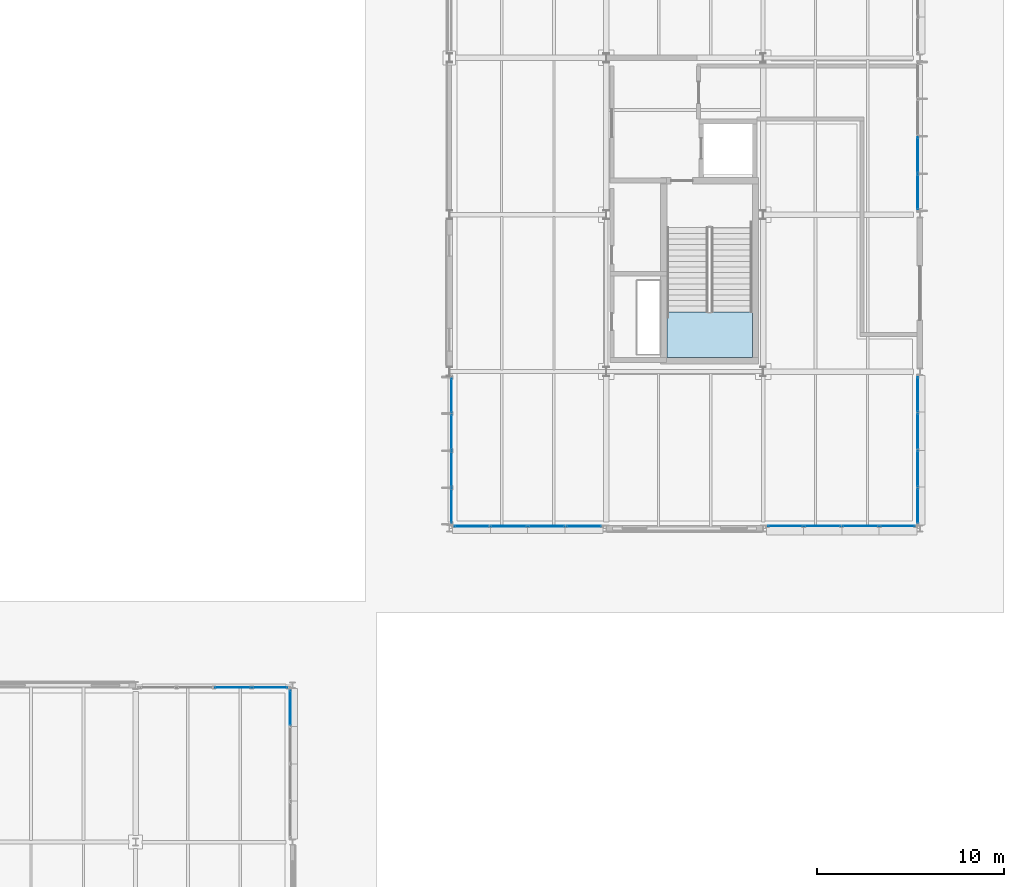
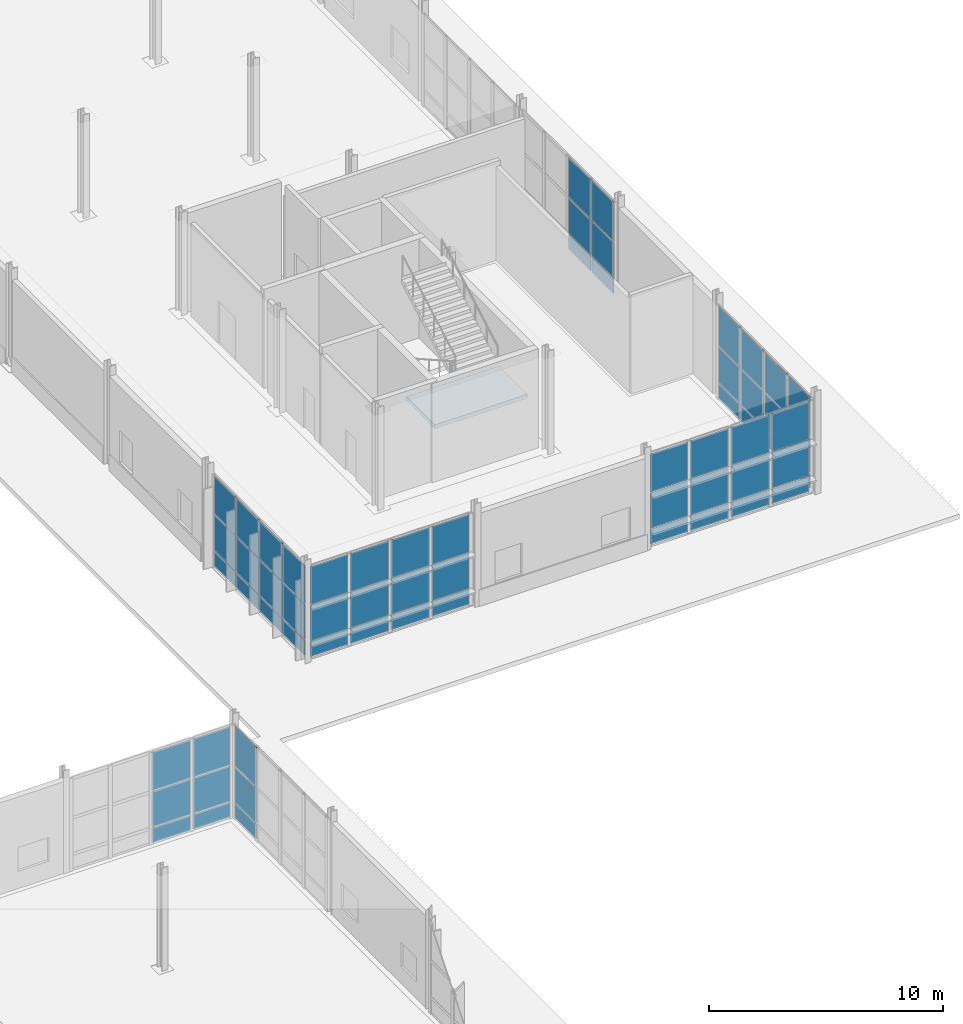
# One storey, part 77 of 124: 63 plates, 1 slab, 8 elements without a shape of their own.
"""IFC4 building model written with IfcOpenShell, lengths in metres."""

from ifc_helpers import new_model, si_unit, direction, frame, origin, origin_2d, place, context, subcontext, project, spatial, polyline, rectangle, outline, extrude, material, layer, layer_set, type_object, element, aggregate, save


model = new_model("IFC4")

# Units and contexts
model_context = context("Model", 3, precision=1e-05, world=origin(), true_north=direction((0.0, 1.0)))
body_context = subcontext(model_context, "Body", "Model", "MODEL_VIEW")
ifc_project = project(units=[si_unit("LENGTHUNIT", "METRE"), si_unit("AREAUNIT", "SQUARE_METRE"), si_unit("VOLUMEUNIT", "CUBIC_METRE"), si_unit("PLANEANGLEUNIT", "RADIAN"), si_unit("MASSUNIT", "GRAM", prefix="KILO")], contexts=[model_context])

# Site, building, storey
site_placement = place(None, origin())
site = spatial("IfcSite", under=ifc_project, at=site_placement, CompositionType="ELEMENT")
building_placement = place(site_placement, origin())
building = spatial("IfcBuilding", under=site, at=building_placement, Name="Mersafa Astral City Hall", CompositionType="ELEMENT")
storey_placement = place(building_placement, origin())
storey = spatial("IfcBuildingStorey", under=building, at=storey_placement, Name="L00", CompositionType="ELEMENT", Elevation=0.0)

# Curtain wall, plates
ifc_material_1 = material(Name="Anodised bronze aluminium framing", Category="aluminium")
curtain_wall_type_1 = type_object("IfcCurtainWallType", Name="ENV-CW-1", PredefinedType="USERDEFINED", material=ifc_material_1)
curtain_wall_1_placement = place(storey_placement, origin())
curtain_wall_1 = element("IfcCurtainWall", 1, at=curtain_wall_1_placement, inside=storey, type_object=curtain_wall_type_1, Name="L00 Unitised solar curtain wall 24", ObjectType="UNITISED CURTAIN WALL", PredefinedType="USERDEFINED")
ifc_material_2 = material(Name="Solar control low-e double glazing", Category="glass")
ifc_layer_1 = layer(ifc_material_2, 0.028076171875, Name="Solar control low-e double glazing")
ifc_layer_set_1 = layer_set([ifc_layer_1], Name="Solar control low-e double glazing — ENV-CW-PNL-GLZ-1")
plate_type_1 = type_object("IfcPlateType", Name="ENV-CW-PNL-GLZ-1", PredefinedType="CURTAIN_PANEL", material=ifc_layer_set_1)
plate_1_placement = place(storey_placement, frame((177.6015625, 42.1201171875, 0.05810546875), z_axis=(0.0, 0.0, 1.0), x_axis=(1.0, 0.0, 0.0)))
plate_1 = element("IfcPlate", 2, at=plate_1_placement, type_object=plate_type_1, Name="CW-1 panel 1.1", PredefinedType="CURTAIN_PANEL", context=body_context, shape_type="SweptSolid", body=[
    extrude(rectangle(XDim=1.839111328125, YDim=0.028076171875, at=origin_2d()), origin(), (0.0, 0.0, 1.0), 0.761962890625),
])
plate_2_placement = place(storey_placement, frame((177.6015625, 42.1201171875, 0.8798828125), z_axis=(0.0, 0.0, 1.0), x_axis=(1.0, 0.0, 0.0)))
plate_2 = element("IfcPlate", 3, at=plate_2_placement, type_object=plate_type_1, Name="CW-1 panel 1.2", PredefinedType="CURTAIN_PANEL", context=body_context, shape_type="SweptSolid", body=[
    extrude(rectangle(XDim=1.839111328125, YDim=0.028076171875, at=origin_2d()), origin(), (0.0, 0.0, 1.0), 1.840087890625),
])
plate_3_placement = place(storey_placement, frame((177.6015625, 42.1201171875, 2.7802734375), z_axis=(0.0, 0.0, 1.0), x_axis=(1.0, 0.0, 0.0)))
plate_3 = element("IfcPlate", 4, at=plate_3_placement, type_object=plate_type_1, Name="CW-1 panel 1.3", PredefinedType="CURTAIN_PANEL", context=body_context, shape_type="SweptSolid", body=[
    extrude(rectangle(XDim=1.839111328125, YDim=0.028076171875, at=origin_2d()), origin(), (0.0, 0.0, 1.0), 1.971923828125),
])
plate_4_placement = place(storey_placement, frame((179.590576171875, 42.1201171875, 0.05810546875), z_axis=(0.0, 0.0, 1.0), x_axis=(1.0, 0.0, 0.0)))
plate_4 = element("IfcPlate", 5, at=plate_4_placement, type_object=plate_type_1, Name="CW-1 panel 2.1", PredefinedType="CURTAIN_PANEL", context=body_context, shape_type="SweptSolid", body=[
    extrude(rectangle(XDim=1.89892578125, YDim=0.028076171875, at=origin_2d()), origin(), (0.0, 0.0, 1.0), 0.761962890625),
])
plate_5_placement = place(storey_placement, frame((179.590576171875, 42.1201171875, 0.8798828125), z_axis=(0.0, 0.0, 1.0), x_axis=(1.0, 0.0, 0.0)))
plate_5 = element("IfcPlate", 6, at=plate_5_placement, type_object=plate_type_1, Name="CW-1 panel 2.2", PredefinedType="CURTAIN_PANEL", context=body_context, shape_type="SweptSolid", body=[
    extrude(rectangle(XDim=1.89892578125, YDim=0.028076171875, at=origin_2d()), origin(), (0.0, 0.0, 1.0), 1.840087890625),
])
plate_6_placement = place(storey_placement, frame((179.590576171875, 42.1201171875, 2.7802734375), z_axis=(0.0, 0.0, 1.0), x_axis=(1.0, 0.0, 0.0)))
plate_6 = element("IfcPlate", 7, at=plate_6_placement, type_object=plate_type_1, Name="CW-1 panel 2.3", PredefinedType="CURTAIN_PANEL", context=body_context, shape_type="SweptSolid", body=[
    extrude(rectangle(XDim=1.89892578125, YDim=0.028076171875, at=origin_2d()), origin(), (0.0, 0.0, 1.0), 1.971923828125),
])
plate_7_placement = place(storey_placement, frame((181.609619140625, 42.1201171875, 0.05810546875), z_axis=(0.0, 0.0, 1.0), x_axis=(1.0, 0.0, 0.0)))
plate_7 = element("IfcPlate", 8, at=plate_7_placement, type_object=plate_type_1, Name="CW-1 panel 3.1", PredefinedType="CURTAIN_PANEL", context=body_context, shape_type="SweptSolid", body=[
    extrude(rectangle(XDim=1.89892578125, YDim=0.028076171875, at=origin_2d()), origin(), (0.0, 0.0, 1.0), 0.761962890625),
])
plate_8_placement = place(storey_placement, frame((181.609619140625, 42.1201171875, 0.8798828125), z_axis=(0.0, 0.0, 1.0), x_axis=(1.0, 0.0, 0.0)))
plate_8 = element("IfcPlate", 9, at=plate_8_placement, type_object=plate_type_1, Name="CW-1 panel 3.2", PredefinedType="CURTAIN_PANEL", context=body_context, shape_type="SweptSolid", body=[
    extrude(rectangle(XDim=1.89892578125, YDim=0.028076171875, at=origin_2d()), origin(), (0.0, 0.0, 1.0), 1.840087890625),
])
plate_9_placement = place(storey_placement, frame((181.609619140625, 42.1201171875, 2.7802734375), z_axis=(0.0, 0.0, 1.0), x_axis=(1.0, 0.0, 0.0)))
plate_9 = element("IfcPlate", 10, at=plate_9_placement, type_object=plate_type_1, Name="CW-1 panel 3.3", PredefinedType="CURTAIN_PANEL", context=body_context, shape_type="SweptSolid", body=[
    extrude(rectangle(XDim=1.89892578125, YDim=0.028076171875, at=origin_2d()), origin(), (0.0, 0.0, 1.0), 1.971923828125),
])
plate_10_placement = place(storey_placement, frame((183.598388671875, 42.1201171875, 0.05810546875), z_axis=(0.0, 0.0, 1.0), x_axis=(1.0, 0.0, 0.0)))
plate_10 = element("IfcPlate", 11, at=plate_10_placement, type_object=plate_type_1, Name="CW-1 panel 4.1", PredefinedType="CURTAIN_PANEL", context=body_context, shape_type="SweptSolid", body=[
    extrude(rectangle(XDim=1.839111328125, YDim=0.028076171875, at=origin_2d()), origin(), (0.0, 0.0, 1.0), 0.761962890625),
])
plate_11_placement = place(storey_placement, frame((183.598388671875, 42.1201171875, 0.8798828125), z_axis=(0.0, 0.0, 1.0), x_axis=(1.0, 0.0, 0.0)))
plate_11 = element("IfcPlate", 12, at=plate_11_placement, type_object=plate_type_1, Name="CW-1 panel 4.2", PredefinedType="CURTAIN_PANEL", context=body_context, shape_type="SweptSolid", body=[
    extrude(rectangle(XDim=1.839111328125, YDim=0.028076171875, at=origin_2d()), origin(), (0.0, 0.0, 1.0), 1.840087890625),
])
plate_12_placement = place(storey_placement, frame((183.598388671875, 42.1201171875, 2.7802734375), z_axis=(0.0, 0.0, 1.0), x_axis=(1.0, 0.0, 0.0)))
plate_12 = element("IfcPlate", 13, at=plate_12_placement, type_object=plate_type_1, Name="CW-1 panel 4.3", PredefinedType="CURTAIN_PANEL", context=body_context, shape_type="SweptSolid", body=[
    extrude(rectangle(XDim=1.839111328125, YDim=0.028076171875, at=origin_2d()), origin(), (0.0, 0.0, 1.0), 1.971923828125),
])
aggregate(curtain_wall_1, [plate_1, plate_2, plate_3, plate_4, plate_5, plate_6, plate_7, plate_8, plate_9, plate_10, plate_11, plate_12])

curtain_wall_type_2 = type_object("IfcCurtainWallType", Name="ENV-CW-6", PredefinedType="USERDEFINED", material=ifc_material_1)
curtain_wall_2_placement = place(storey_placement, origin())
curtain_wall_2 = element("IfcCurtainWall", 14, at=curtain_wall_2_placement, inside=storey, type_object=curtain_wall_type_2, Name="L00 Unitised solar curtain wall 5", ObjectType="UNITISED CURTAIN WALL", PredefinedType="USERDEFINED")
ifc_layer_2 = layer(ifc_material_2, 0.031982421875, Name="Solar control low-e double glazing")
ifc_layer_set_2 = layer_set([ifc_layer_2], Name="Solar control low-e double glazing — ENV-CW-PNL-GLZ-2")
plate_type_2 = type_object("IfcPlateType", Name="ENV-CW-PNL-GLZ-2", PredefinedType="CURTAIN_PANEL", material=ifc_layer_set_2)
plate_13_placement = place(storey_placement, frame((151.080078125, 32.3984375, 0.05810546875), z_axis=(0.0, 0.0, 1.0), x_axis=(0.0, 1.0, 0.0)))
plate_13 = element("IfcPlate", 15, at=plate_13_placement, type_object=plate_type_2, Name="CW-6 panel 4.1", PredefinedType="CURTAIN_PANEL", context=body_context, shape_type="SweptSolid", body=[
    extrude(rectangle(XDim=1.839111328125, YDim=0.031982421875, at=origin_2d()), origin(), (0.0, 0.0, 1.0), 0.761962890625),
])
plate_14_placement = place(storey_placement, frame((151.080078125, 32.3984375, 0.8798828125), z_axis=(0.0, 0.0, 1.0), x_axis=(0.0, 1.0, 0.0)))
plate_14 = element("IfcPlate", 16, at=plate_14_placement, type_object=plate_type_2, Name="CW-6 panel 4.2", PredefinedType="CURTAIN_PANEL", context=body_context, shape_type="SweptSolid", body=[
    extrude(rectangle(XDim=1.839111328125, YDim=0.031982421875, at=origin_2d()), origin(), (0.0, 0.0, 1.0), 1.840087890625),
])
plate_15_placement = place(storey_placement, frame((151.080078125, 32.3984375, 2.780029296875), z_axis=(0.0, 0.0, 1.0), x_axis=(0.0, 1.0, 0.0)))
plate_15 = element("IfcPlate", 17, at=plate_15_placement, type_object=plate_type_2, Name="CW-6 panel 4.3", PredefinedType="CURTAIN_PANEL", context=body_context, shape_type="SweptSolid", body=[
    extrude(rectangle(XDim=1.839111328125, YDim=0.031982421875, at=origin_2d()), origin(), (0.0, 0.0, 1.0), 2.06201171875),
])
aggregate(curtain_wall_2, [plate_13, plate_14, plate_15])

curtain_wall_type_3 = type_object("IfcCurtainWallType", Name="ENV-CW-2", PredefinedType="USERDEFINED", material=ifc_material_1)
curtain_wall_3_placement = place(storey_placement, origin())
curtain_wall_3 = element("IfcCurtainWall", 18, at=curtain_wall_3_placement, inside=storey, type_object=curtain_wall_type_3, Name="L00 Unitised solar curtain wall 25", ObjectType="UNITISED CURTAIN WALL", PredefinedType="USERDEFINED")
plate_16_placement = place(storey_placement, frame((184.679931640625, 43.21533203125, 0.05810546875), z_axis=(0.0, 0.0, 1.0), x_axis=(0.0, 1.0, 0.0)))
plate_16 = element("IfcPlate", 19, at=plate_16_placement, type_object=plate_type_2, Name="CW-2 panel 1.1", PredefinedType="CURTAIN_PANEL", context=body_context, shape_type="SweptSolid", body=[
    extrude(rectangle(XDim=1.826416015625, YDim=0.031982421875, at=origin_2d()), origin(), (0.0, 0.0, 1.0), 0.761962890625),
])
plate_17_placement = place(storey_placement, frame((184.679931640625, 43.21533203125, 0.8798828125), z_axis=(0.0, 0.0, 1.0), x_axis=(0.0, 1.0, 0.0)))
plate_17 = element("IfcPlate", 20, at=plate_17_placement, type_object=plate_type_2, Name="CW-2 panel 1.2", PredefinedType="CURTAIN_PANEL", context=body_context, shape_type="SweptSolid", body=[
    extrude(rectangle(XDim=1.826416015625, YDim=0.031982421875, at=origin_2d()), origin(), (0.0, 0.0, 1.0), 1.840087890625),
])
plate_18_placement = place(storey_placement, frame((184.679931640625, 43.21533203125, 2.780029296875), z_axis=(0.0, 0.0, 1.0), x_axis=(0.0, 1.0, 0.0)))
plate_18 = element("IfcPlate", 21, at=plate_18_placement, type_object=plate_type_2, Name="CW-2 panel 1.3", PredefinedType="CURTAIN_PANEL", context=body_context, shape_type="SweptSolid", body=[
    extrude(rectangle(XDim=1.826416015625, YDim=0.031982421875, at=origin_2d()), origin(), (0.0, 0.0, 1.0), 2.06201171875),
])
plate_19_placement = place(storey_placement, frame((184.679931640625, 45.191650390625, 0.05810546875), z_axis=(0.0, 0.0, 1.0), x_axis=(0.0, 1.0, 0.0)))
plate_19 = element("IfcPlate", 22, at=plate_19_placement, type_object=plate_type_2, Name="CW-2 panel 2.1", PredefinedType="CURTAIN_PANEL", context=body_context, shape_type="SweptSolid", body=[
    extrude(rectangle(XDim=1.886474609375, YDim=0.031982421875, at=origin_2d()), origin(), (0.0, 0.0, 1.0), 0.761962890625),
])
plate_20_placement = place(storey_placement, frame((184.679931640625, 45.191650390625, 0.8798828125), z_axis=(0.0, 0.0, 1.0), x_axis=(0.0, 1.0, 0.0)))
plate_20 = element("IfcPlate", 23, at=plate_20_placement, type_object=plate_type_2, Name="CW-2 panel 2.2", PredefinedType="CURTAIN_PANEL", context=body_context, shape_type="SweptSolid", body=[
    extrude(rectangle(XDim=1.886474609375, YDim=0.031982421875, at=origin_2d()), origin(), (0.0, 0.0, 1.0), 1.840087890625),
])
plate_21_placement = place(storey_placement, frame((184.679931640625, 45.191650390625, 2.780029296875), z_axis=(0.0, 0.0, 1.0), x_axis=(0.0, 1.0, 0.0)))
plate_21 = element("IfcPlate", 24, at=plate_21_placement, type_object=plate_type_2, Name="CW-2 panel 2.3", PredefinedType="CURTAIN_PANEL", context=body_context, shape_type="SweptSolid", body=[
    extrude(rectangle(XDim=1.886474609375, YDim=0.031982421875, at=origin_2d()), origin(), (0.0, 0.0, 1.0), 2.06201171875),
])
plate_22_placement = place(storey_placement, frame((184.679931640625, 47.1982421875, 0.05810546875), z_axis=(0.0, 0.0, 1.0), x_axis=(0.0, 1.0, 0.0)))
plate_22 = element("IfcPlate", 25, at=plate_22_placement, type_object=plate_type_2, Name="CW-2 panel 3.1", PredefinedType="CURTAIN_PANEL", context=body_context, shape_type="SweptSolid", body=[
    extrude(rectangle(XDim=1.886474609375, YDim=0.031982421875, at=origin_2d()), origin(), (0.0, 0.0, 1.0), 0.761962890625),
])
plate_23_placement = place(storey_placement, frame((184.679931640625, 47.1982421875, 0.8798828125), z_axis=(0.0, 0.0, 1.0), x_axis=(0.0, 1.0, 0.0)))
plate_23 = element("IfcPlate", 26, at=plate_23_placement, type_object=plate_type_2, Name="CW-2 panel 3.2", PredefinedType="CURTAIN_PANEL", context=body_context, shape_type="SweptSolid", body=[
    extrude(rectangle(XDim=1.886474609375, YDim=0.031982421875, at=origin_2d()), origin(), (0.0, 0.0, 1.0), 1.840087890625),
])
plate_24_placement = place(storey_placement, frame((184.679931640625, 47.1982421875, 2.780029296875), z_axis=(0.0, 0.0, 1.0), x_axis=(0.0, 1.0, 0.0)))
plate_24 = element("IfcPlate", 27, at=plate_24_placement, type_object=plate_type_2, Name="CW-2 panel 3.3", PredefinedType="CURTAIN_PANEL", context=body_context, shape_type="SweptSolid", body=[
    extrude(rectangle(XDim=1.886474609375, YDim=0.031982421875, at=origin_2d()), origin(), (0.0, 0.0, 1.0), 2.06201171875),
])
plate_25_placement = place(storey_placement, frame((184.679931640625, 49.1748046875, 0.05810546875), z_axis=(0.0, 0.0, 1.0), x_axis=(0.0, 1.0, 0.0)))
plate_25 = element("IfcPlate", 28, at=plate_25_placement, type_object=plate_type_2, Name="CW-2 panel 4.1", PredefinedType="CURTAIN_PANEL", context=body_context, shape_type="SweptSolid", body=[
    extrude(rectangle(XDim=1.826416015625, YDim=0.031982421875, at=origin_2d()), origin(), (0.0, 0.0, 1.0), 0.761962890625),
])
plate_26_placement = place(storey_placement, frame((184.679931640625, 49.1748046875, 0.8798828125), z_axis=(0.0, 0.0, 1.0), x_axis=(0.0, 1.0, 0.0)))
plate_26 = element("IfcPlate", 29, at=plate_26_placement, type_object=plate_type_2, Name="CW-2 panel 4.2", PredefinedType="CURTAIN_PANEL", context=body_context, shape_type="SweptSolid", body=[
    extrude(rectangle(XDim=1.826416015625, YDim=0.031982421875, at=origin_2d()), origin(), (0.0, 0.0, 1.0), 1.840087890625),
])
plate_27_placement = place(storey_placement, frame((184.679931640625, 49.1748046875, 2.780029296875), z_axis=(0.0, 0.0, 1.0), x_axis=(0.0, 1.0, 0.0)))
plate_27 = element("IfcPlate", 30, at=plate_27_placement, type_object=plate_type_2, Name="CW-2 panel 4.3", PredefinedType="CURTAIN_PANEL", context=body_context, shape_type="SweptSolid", body=[
    extrude(rectangle(XDim=1.826416015625, YDim=0.031982421875, at=origin_2d()), origin(), (0.0, 0.0, 1.0), 2.06201171875),
])
aggregate(curtain_wall_3, [plate_16, plate_17, plate_18, plate_19, plate_20, plate_21, plate_22, plate_23, plate_24, plate_25, plate_26, plate_27])

curtain_wall_4_placement = place(storey_placement, origin())
curtain_wall_4 = element("IfcCurtainWall", 31, at=curtain_wall_4_placement, inside=storey, type_object=curtain_wall_type_1, Name="L00 Unitised solar curtain wall 6", ObjectType="UNITISED CURTAIN WALL", PredefinedType="USERDEFINED")
ifc_layer_3 = layer(ifc_material_2, 0.035888671875, Name="Solar control low-e double glazing")
ifc_layer_set_3 = layer_set([ifc_layer_3], Name="Solar control low-e double glazing — ENV-CW-PNL-GLZ-3")
plate_type_3 = type_object("IfcPlateType", Name="ENV-CW-PNL-GLZ-3", PredefinedType="CURTAIN_PANEL", material=ifc_layer_set_3)
plate_28_placement = place(storey_placement, frame((149.99853515625, 33.47998046875, 0.05810546875), z_axis=(0.0, 0.0, 1.0), x_axis=(-1.0, 0.0, 0.0)))
plate_28 = element("IfcPlate", 32, at=plate_28_placement, type_object=plate_type_3, Name="CW-1 panel 1.1", PredefinedType="CURTAIN_PANEL", context=body_context, shape_type="SweptSolid", body=[
    extrude(rectangle(XDim=1.839111328125, YDim=0.035888671875, at=origin_2d()), origin(), (0.0, 0.0, 1.0), 0.761962890625),
])
plate_29_placement = place(storey_placement, frame((149.99853515625, 33.47998046875, 0.8798828125), z_axis=(0.0, 0.0, 1.0), x_axis=(-1.0, 0.0, 0.0)))
plate_29 = element("IfcPlate", 33, at=plate_29_placement, type_object=plate_type_3, Name="CW-1 panel 1.2", PredefinedType="CURTAIN_PANEL", context=body_context, shape_type="SweptSolid", body=[
    extrude(rectangle(XDim=1.839111328125, YDim=0.035888671875, at=origin_2d()), origin(), (0.0, 0.0, 1.0), 1.840087890625),
])
plate_30_placement = place(storey_placement, frame((149.99853515625, 33.47998046875, 2.780029296875), z_axis=(0.0, 0.0, 1.0), x_axis=(-1.0, 0.0, 0.0)))
plate_30 = element("IfcPlate", 34, at=plate_30_placement, type_object=plate_type_3, Name="CW-1 panel 1.3", PredefinedType="CURTAIN_PANEL", context=body_context, shape_type="SweptSolid", body=[
    extrude(rectangle(XDim=1.839111328125, YDim=0.035888671875, at=origin_2d()), origin(), (0.0, 0.0, 1.0), 2.001953125),
])
plate_31_placement = place(storey_placement, frame((148.009521484375, 33.47998046875, 0.05810546875), z_axis=(0.0, 0.0, 1.0), x_axis=(-1.0, 0.0, 0.0)))
plate_31 = element("IfcPlate", 35, at=plate_31_placement, type_object=plate_type_3, Name="CW-1 panel 2.1", PredefinedType="CURTAIN_PANEL", context=body_context, shape_type="SweptSolid", body=[
    extrude(rectangle(XDim=1.89892578125, YDim=0.035888671875, at=origin_2d()), origin(), (0.0, 0.0, 1.0), 0.761962890625),
])
plate_32_placement = place(storey_placement, frame((148.009521484375, 33.47998046875, 0.8798828125), z_axis=(0.0, 0.0, 1.0), x_axis=(-1.0, 0.0, 0.0)))
plate_32 = element("IfcPlate", 36, at=plate_32_placement, type_object=plate_type_3, Name="CW-1 panel 2.2", PredefinedType="CURTAIN_PANEL", context=body_context, shape_type="SweptSolid", body=[
    extrude(rectangle(XDim=1.89892578125, YDim=0.035888671875, at=origin_2d()), origin(), (0.0, 0.0, 1.0), 1.840087890625),
])
plate_33_placement = place(storey_placement, frame((148.009521484375, 33.47998046875, 2.780029296875), z_axis=(0.0, 0.0, 1.0), x_axis=(-1.0, 0.0, 0.0)))
plate_33 = element("IfcPlate", 37, at=plate_33_placement, type_object=plate_type_3, Name="CW-1 panel 2.3", PredefinedType="CURTAIN_PANEL", context=body_context, shape_type="SweptSolid", body=[
    extrude(rectangle(XDim=1.89892578125, YDim=0.035888671875, at=origin_2d()), origin(), (0.0, 0.0, 1.0), 2.001953125),
])
aggregate(curtain_wall_4, [plate_28, plate_29, plate_30, plate_31, plate_32, plate_33])

curtain_wall_type_4 = type_object("IfcCurtainWallType", Name="ENV-CW-5", PredefinedType="USERDEFINED", material=ifc_material_1)
curtain_wall_5_placement = place(storey_placement, origin())
curtain_wall_5 = element("IfcCurtainWall", 38, at=curtain_wall_5_placement, inside=storey, type_object=curtain_wall_type_4, Name="L00 Unitised solar curtain wall 22", ObjectType="UNITISED CURTAIN WALL", PredefinedType="USERDEFINED")
plate_34_placement = place(storey_placement, frame((159.719970703125, 49.11474609375, 0.05810546875), z_axis=(0.0, 0.0, 1.0), x_axis=(0.0, -1.0, 0.0)))
plate_34 = element("IfcPlate", 39, at=plate_34_placement, type_object=plate_type_3, Name="CW-5 panel 1.1", PredefinedType="CURTAIN_PANEL", context=body_context, shape_type="SweptSolid", body=[
    extrude(rectangle(XDim=1.806396484375, YDim=0.035888671875, at=origin_2d()), origin(), (0.0, 0.0, 1.0), 0.761962890625),
])
plate_35_placement = place(storey_placement, frame((159.719970703125, 49.11474609375, 0.8798828125), z_axis=(0.0, 0.0, 1.0), x_axis=(0.0, -1.0, 0.0)))
plate_35 = element("IfcPlate", 40, at=plate_35_placement, type_object=plate_type_3, Name="CW-5 panel 1.2", PredefinedType="CURTAIN_PANEL", context=body_context, shape_type="SweptSolid", body=[
    extrude(rectangle(XDim=1.806396484375, YDim=0.035888671875, at=origin_2d()), origin(), (0.0, 0.0, 1.0), 1.840087890625),
])
plate_36_placement = place(storey_placement, frame((159.719970703125, 49.11474609375, 2.7802734375), z_axis=(0.0, 0.0, 1.0), x_axis=(0.0, -1.0, 0.0)))
plate_36 = element("IfcPlate", 41, at=plate_36_placement, type_object=plate_type_3, Name="CW-5 panel 1.3", PredefinedType="CURTAIN_PANEL", context=body_context, shape_type="SweptSolid", body=[
    extrude(rectangle(XDim=1.806396484375, YDim=0.035888671875, at=origin_2d()), origin(), (0.0, 0.0, 1.0), 1.971923828125),
])
plate_37_placement = place(storey_placement, frame((159.719970703125, 47.158203125, 0.05810546875), z_axis=(0.0, 0.0, 1.0), x_axis=(0.0, -1.0, 0.0)))
plate_37 = element("IfcPlate", 42, at=plate_37_placement, type_object=plate_type_3, Name="CW-5 panel 2.1", PredefinedType="CURTAIN_PANEL", context=body_context, shape_type="SweptSolid", body=[
    extrude(rectangle(XDim=1.866455078125, YDim=0.035888671875, at=origin_2d()), origin(), (0.0, 0.0, 1.0), 0.761962890625),
])
plate_38_placement = place(storey_placement, frame((159.719970703125, 47.158203125, 0.8798828125), z_axis=(0.0, 0.0, 1.0), x_axis=(0.0, -1.0, 0.0)))
plate_38 = element("IfcPlate", 43, at=plate_38_placement, type_object=plate_type_3, Name="CW-5 panel 2.2", PredefinedType="CURTAIN_PANEL", context=body_context, shape_type="SweptSolid", body=[
    extrude(rectangle(XDim=1.866455078125, YDim=0.035888671875, at=origin_2d()), origin(), (0.0, 0.0, 1.0), 1.840087890625),
])
plate_39_placement = place(storey_placement, frame((159.719970703125, 47.158203125, 2.7802734375), z_axis=(0.0, 0.0, 1.0), x_axis=(0.0, -1.0, 0.0)))
plate_39 = element("IfcPlate", 44, at=plate_39_placement, type_object=plate_type_3, Name="CW-5 panel 2.3", PredefinedType="CURTAIN_PANEL", context=body_context, shape_type="SweptSolid", body=[
    extrude(rectangle(XDim=1.866455078125, YDim=0.035888671875, at=origin_2d()), origin(), (0.0, 0.0, 1.0), 1.971923828125),
])
plate_40_placement = place(storey_placement, frame((159.719970703125, 45.171630859375, 0.05810546875), z_axis=(0.0, 0.0, 1.0), x_axis=(0.0, -1.0, 0.0)))
plate_40 = element("IfcPlate", 45, at=plate_40_placement, type_object=plate_type_3, Name="CW-5 panel 3.1", PredefinedType="CURTAIN_PANEL", context=body_context, shape_type="SweptSolid", body=[
    extrude(rectangle(XDim=1.866455078125, YDim=0.035888671875, at=origin_2d()), origin(), (0.0, 0.0, 1.0), 0.761962890625),
])
plate_41_placement = place(storey_placement, frame((159.719970703125, 45.171630859375, 0.8798828125), z_axis=(0.0, 0.0, 1.0), x_axis=(0.0, -1.0, 0.0)))
plate_41 = element("IfcPlate", 46, at=plate_41_placement, type_object=plate_type_3, Name="CW-5 panel 3.2", PredefinedType="CURTAIN_PANEL", context=body_context, shape_type="SweptSolid", body=[
    extrude(rectangle(XDim=1.866455078125, YDim=0.035888671875, at=origin_2d()), origin(), (0.0, 0.0, 1.0), 1.840087890625),
])
plate_42_placement = place(storey_placement, frame((159.719970703125, 45.171630859375, 2.7802734375), z_axis=(0.0, 0.0, 1.0), x_axis=(0.0, -1.0, 0.0)))
plate_42 = element("IfcPlate", 47, at=plate_42_placement, type_object=plate_type_3, Name="CW-5 panel 3.3", PredefinedType="CURTAIN_PANEL", context=body_context, shape_type="SweptSolid", body=[
    extrude(rectangle(XDim=1.866455078125, YDim=0.035888671875, at=origin_2d()), origin(), (0.0, 0.0, 1.0), 1.971923828125),
])
plate_43_placement = place(storey_placement, frame((159.719970703125, 43.21533203125, 0.05810546875), z_axis=(0.0, 0.0, 1.0), x_axis=(0.0, -1.0, 0.0)))
plate_43 = element("IfcPlate", 48, at=plate_43_placement, type_object=plate_type_3, Name="CW-5 panel 4.1", PredefinedType="CURTAIN_PANEL", context=body_context, shape_type="SweptSolid", body=[
    extrude(rectangle(XDim=1.806396484375, YDim=0.035888671875, at=origin_2d()), origin(), (0.0, 0.0, 1.0), 0.761962890625),
])
plate_44_placement = place(storey_placement, frame((159.719970703125, 43.21533203125, 0.8798828125), z_axis=(0.0, 0.0, 1.0), x_axis=(0.0, -1.0, 0.0)))
plate_44 = element("IfcPlate", 49, at=plate_44_placement, type_object=plate_type_3, Name="CW-5 panel 4.2", PredefinedType="CURTAIN_PANEL", context=body_context, shape_type="SweptSolid", body=[
    extrude(rectangle(XDim=1.806396484375, YDim=0.035888671875, at=origin_2d()), origin(), (0.0, 0.0, 1.0), 1.840087890625),
])
plate_45_placement = place(storey_placement, frame((159.719970703125, 43.21533203125, 2.7802734375), z_axis=(0.0, 0.0, 1.0), x_axis=(0.0, -1.0, 0.0)))
plate_45 = element("IfcPlate", 50, at=plate_45_placement, type_object=plate_type_3, Name="CW-5 panel 4.3", PredefinedType="CURTAIN_PANEL", context=body_context, shape_type="SweptSolid", body=[
    extrude(rectangle(XDim=1.806396484375, YDim=0.035888671875, at=origin_2d()), origin(), (0.0, 0.0, 1.0), 1.971923828125),
])
aggregate(curtain_wall_5, [plate_34, plate_35, plate_36, plate_37, plate_38, plate_39, plate_40, plate_41, plate_42, plate_43, plate_44, plate_45])

curtain_wall_type_5 = type_object("IfcCurtainWallType", Name="ENV-CW-3", PredefinedType="USERDEFINED", material=ifc_material_1)
curtain_wall_6_placement = place(storey_placement, origin())
curtain_wall_6 = element("IfcCurtainWall", 51, at=curtain_wall_6_placement, inside=storey, type_object=curtain_wall_type_5, Name="L00 Unitised solar curtain wall 26", ObjectType="UNITISED CURTAIN WALL", PredefinedType="USERDEFINED")
plate_46_placement = place(storey_placement, frame((184.679931640625, 60.01513671875, 0.05810546875), z_axis=(0.0, 0.0, 1.0), x_axis=(0.0, 1.0, 0.0)))
plate_46 = element("IfcPlate", 52, at=plate_46_placement, type_object=plate_type_3, Name="CW-3 panel 1.1", PredefinedType="CURTAIN_PANEL", context=body_context, shape_type="SweptSolid", body=[
    extrude(rectangle(XDim=1.826416015625, YDim=0.035888671875, at=origin_2d()), origin(), (0.0, 0.0, 1.0), 0.761962890625),
])
plate_47_placement = place(storey_placement, frame((184.679931640625, 60.01513671875, 0.8798828125), z_axis=(0.0, 0.0, 1.0), x_axis=(0.0, 1.0, 0.0)))
plate_47 = element("IfcPlate", 53, at=plate_47_placement, type_object=plate_type_3, Name="CW-3 panel 1.2", PredefinedType="CURTAIN_PANEL", context=body_context, shape_type="SweptSolid", body=[
    extrude(rectangle(XDim=1.826416015625, YDim=0.035888671875, at=origin_2d()), origin(), (0.0, 0.0, 1.0), 1.840087890625),
])
plate_48_placement = place(storey_placement, frame((184.679931640625, 60.01513671875, 2.780029296875), z_axis=(0.0, 0.0, 1.0), x_axis=(0.0, 1.0, 0.0)))
plate_48 = element("IfcPlate", 54, at=plate_48_placement, type_object=plate_type_3, Name="CW-3 panel 1.3", PredefinedType="CURTAIN_PANEL", context=body_context, shape_type="SweptSolid", body=[
    extrude(rectangle(XDim=1.826416015625, YDim=0.035888671875, at=origin_2d()), origin(), (0.0, 0.0, 1.0), 2.06201171875),
])
plate_49_placement = place(storey_placement, frame((184.679931640625, 61.99169921875, 0.05810546875), z_axis=(0.0, 0.0, 1.0), x_axis=(0.0, 1.0, 0.0)))
plate_49 = element("IfcPlate", 55, at=plate_49_placement, type_object=plate_type_3, Name="CW-3 panel 2.1", PredefinedType="CURTAIN_PANEL", context=body_context, shape_type="SweptSolid", body=[
    extrude(rectangle(XDim=1.886474609375, YDim=0.035888671875, at=origin_2d()), origin(), (0.0, 0.0, 1.0), 0.761962890625),
])
plate_50_placement = place(storey_placement, frame((184.679931640625, 61.99169921875, 0.8798828125), z_axis=(0.0, 0.0, 1.0), x_axis=(0.0, 1.0, 0.0)))
plate_50 = element("IfcPlate", 56, at=plate_50_placement, type_object=plate_type_3, Name="CW-3 panel 2.2", PredefinedType="CURTAIN_PANEL", context=body_context, shape_type="SweptSolid", body=[
    extrude(rectangle(XDim=1.886474609375, YDim=0.035888671875, at=origin_2d()), origin(), (0.0, 0.0, 1.0), 1.840087890625),
])
plate_51_placement = place(storey_placement, frame((184.679931640625, 61.99169921875, 2.780029296875), z_axis=(0.0, 0.0, 1.0), x_axis=(0.0, 1.0, 0.0)))
plate_51 = element("IfcPlate", 57, at=plate_51_placement, type_object=plate_type_3, Name="CW-3 panel 2.3", PredefinedType="CURTAIN_PANEL", context=body_context, shape_type="SweptSolid", body=[
    extrude(rectangle(XDim=1.886474609375, YDim=0.035888671875, at=origin_2d()), origin(), (0.0, 0.0, 1.0), 2.06201171875),
])
aggregate(curtain_wall_6, [plate_46, plate_47, plate_48, plate_49, plate_50, plate_51])

curtain_wall_7_placement = place(storey_placement, origin())
curtain_wall_7 = element("IfcCurtainWall", 58, at=curtain_wall_7_placement, inside=storey, type_object=curtain_wall_type_2, Name="L00 Unitised solar curtain wall 23", ObjectType="UNITISED CURTAIN WALL", PredefinedType="USERDEFINED")
ifc_layer_4 = layer(ifc_material_2, 0.0400390625, Name="Solar control low-e double glazing")
ifc_layer_set_4 = layer_set([ifc_layer_4], Name="Solar control low-e double glazing — ENV-CW-PNL-GLZ-4")
plate_type_4 = type_object("IfcPlateType", Name="ENV-CW-PNL-GLZ-4", PredefinedType="CURTAIN_PANEL", material=ifc_layer_set_4)
plate_52_placement = place(storey_placement, frame((160.801513671875, 42.1201171875, 0.05810546875), z_axis=(0.0, 0.0, 1.0), x_axis=(1.0, 0.0, 0.0)))
plate_52 = element("IfcPlate", 59, at=plate_52_placement, type_object=plate_type_4, Name="CW-6 panel 1.1", PredefinedType="CURTAIN_PANEL", context=body_context, shape_type="SweptSolid", body=[
    extrude(rectangle(XDim=1.839111328125, YDim=0.0400390625, at=origin_2d()), origin(), (0.0, 0.0, 1.0), 0.761962890625),
])
plate_53_placement = place(storey_placement, frame((160.801513671875, 42.1201171875, 0.8798828125), z_axis=(0.0, 0.0, 1.0), x_axis=(1.0, 0.0, 0.0)))
plate_53 = element("IfcPlate", 60, at=plate_53_placement, type_object=plate_type_4, Name="CW-6 panel 1.2", PredefinedType="CURTAIN_PANEL", context=body_context, shape_type="SweptSolid", body=[
    extrude(rectangle(XDim=1.839111328125, YDim=0.0400390625, at=origin_2d()), origin(), (0.0, 0.0, 1.0), 1.840087890625),
])
plate_54_placement = place(storey_placement, frame((160.801513671875, 42.1201171875, 2.7802734375), z_axis=(0.0, 0.0, 1.0), x_axis=(1.0, 0.0, 0.0)))
plate_54 = element("IfcPlate", 61, at=plate_54_placement, type_object=plate_type_4, Name="CW-6 panel 1.3", PredefinedType="CURTAIN_PANEL", context=body_context, shape_type="SweptSolid", body=[
    extrude(rectangle(XDim=1.839111328125, YDim=0.0400390625, at=origin_2d()), origin(), (0.0, 0.0, 1.0), 1.971923828125),
])
plate_55_placement = place(storey_placement, frame((162.79052734375, 42.1201171875, 0.05810546875), z_axis=(0.0, 0.0, 1.0), x_axis=(1.0, 0.0, 0.0)))
plate_55 = element("IfcPlate", 62, at=plate_55_placement, type_object=plate_type_4, Name="CW-6 panel 2.1", PredefinedType="CURTAIN_PANEL", context=body_context, shape_type="SweptSolid", body=[
    extrude(rectangle(XDim=1.89892578125, YDim=0.0400390625, at=origin_2d()), origin(), (0.0, 0.0, 1.0), 0.761962890625),
])
plate_56_placement = place(storey_placement, frame((162.79052734375, 42.1201171875, 0.8798828125), z_axis=(0.0, 0.0, 1.0), x_axis=(1.0, 0.0, 0.0)))
plate_56 = element("IfcPlate", 63, at=plate_56_placement, type_object=plate_type_4, Name="CW-6 panel 2.2", PredefinedType="CURTAIN_PANEL", context=body_context, shape_type="SweptSolid", body=[
    extrude(rectangle(XDim=1.89892578125, YDim=0.0400390625, at=origin_2d()), origin(), (0.0, 0.0, 1.0), 1.840087890625),
])
plate_57_placement = place(storey_placement, frame((162.79052734375, 42.1201171875, 2.7802734375), z_axis=(0.0, 0.0, 1.0), x_axis=(1.0, 0.0, 0.0)))
plate_57 = element("IfcPlate", 64, at=plate_57_placement, type_object=plate_type_4, Name="CW-6 panel 2.3", PredefinedType="CURTAIN_PANEL", context=body_context, shape_type="SweptSolid", body=[
    extrude(rectangle(XDim=1.89892578125, YDim=0.0400390625, at=origin_2d()), origin(), (0.0, 0.0, 1.0), 1.971923828125),
])
plate_58_placement = place(storey_placement, frame((164.8095703125, 42.1201171875, 0.05810546875), z_axis=(0.0, 0.0, 1.0), x_axis=(1.0, 0.0, 0.0)))
plate_58 = element("IfcPlate", 65, at=plate_58_placement, type_object=plate_type_4, Name="CW-6 panel 3.1", PredefinedType="CURTAIN_PANEL", context=body_context, shape_type="SweptSolid", body=[
    extrude(rectangle(XDim=1.89892578125, YDim=0.0400390625, at=origin_2d()), origin(), (0.0, 0.0, 1.0), 0.761962890625),
])
plate_59_placement = place(storey_placement, frame((164.8095703125, 42.1201171875, 0.8798828125), z_axis=(0.0, 0.0, 1.0), x_axis=(1.0, 0.0, 0.0)))
plate_59 = element("IfcPlate", 66, at=plate_59_placement, type_object=plate_type_4, Name="CW-6 panel 3.2", PredefinedType="CURTAIN_PANEL", context=body_context, shape_type="SweptSolid", body=[
    extrude(rectangle(XDim=1.89892578125, YDim=0.0400390625, at=origin_2d()), origin(), (0.0, 0.0, 1.0), 1.840087890625),
])
plate_60_placement = place(storey_placement, frame((164.8095703125, 42.1201171875, 2.7802734375), z_axis=(0.0, 0.0, 1.0), x_axis=(1.0, 0.0, 0.0)))
plate_60 = element("IfcPlate", 67, at=plate_60_placement, type_object=plate_type_4, Name="CW-6 panel 3.3", PredefinedType="CURTAIN_PANEL", context=body_context, shape_type="SweptSolid", body=[
    extrude(rectangle(XDim=1.89892578125, YDim=0.0400390625, at=origin_2d()), origin(), (0.0, 0.0, 1.0), 1.971923828125),
])
plate_61_placement = place(storey_placement, frame((166.798583984375, 42.1201171875, 0.05810546875), z_axis=(0.0, 0.0, 1.0), x_axis=(1.0, 0.0, 0.0)))
plate_61 = element("IfcPlate", 68, at=plate_61_placement, type_object=plate_type_4, Name="CW-6 panel 4.1", PredefinedType="CURTAIN_PANEL", context=body_context, shape_type="SweptSolid", body=[
    extrude(rectangle(XDim=1.839111328125, YDim=0.0400390625, at=origin_2d()), origin(), (0.0, 0.0, 1.0), 0.761962890625),
])
plate_62_placement = place(storey_placement, frame((166.798583984375, 42.1201171875, 0.8798828125), z_axis=(0.0, 0.0, 1.0), x_axis=(1.0, 0.0, 0.0)))
plate_62 = element("IfcPlate", 69, at=plate_62_placement, type_object=plate_type_4, Name="CW-6 panel 4.2", PredefinedType="CURTAIN_PANEL", context=body_context, shape_type="SweptSolid", body=[
    extrude(rectangle(XDim=1.839111328125, YDim=0.0400390625, at=origin_2d()), origin(), (0.0, 0.0, 1.0), 1.840087890625),
])
plate_63_placement = place(storey_placement, frame((166.798583984375, 42.1201171875, 2.7802734375), z_axis=(0.0, 0.0, 1.0), x_axis=(1.0, 0.0, 0.0)))
plate_63 = element("IfcPlate", 70, at=plate_63_placement, type_object=plate_type_4, Name="CW-6 panel 4.3", PredefinedType="CURTAIN_PANEL", context=body_context, shape_type="SweptSolid", body=[
    extrude(rectangle(XDim=1.839111328125, YDim=0.0400390625, at=origin_2d()), origin(), (0.0, 0.0, 1.0), 1.971923828125),
])
aggregate(curtain_wall_7, [plate_52, plate_53, plate_54, plate_55, plate_56, plate_57, plate_58, plate_59, plate_60, plate_61, plate_62, plate_63])

# Stair, slab
ifc_material_3 = material(Name="Concrete C40/50", Category="concrete")
stair_type = type_object("IfcStairType", Name="STAIR", PredefinedType="HALF_TURN_STAIR", material=ifc_material_3)
stair_placement = place(storey_placement, origin())
stair = element("IfcStair", 71, at=stair_placement, inside=storey, type_object=stair_type, Name="L00 Protected Exit Stair ST4", PredefinedType="HALF_TURN_STAIR")
ifc_layer_5 = layer(ifc_material_3, 0.199951171875, Name="Concrete C40/50")
ifc_layer_set_5 = layer_set([ifc_layer_5], Name="Concrete C40/50 — STAIR-LANDING")
slab_type = type_object("IfcSlabType", Name="STAIR-LANDING", PredefinedType="LANDING", material=ifc_layer_set_5)
slab_placement = place(storey_placement, frame((0.0, 0.0, 2.5)))
slab = element("IfcSlab", 72, at=slab_placement, type_object=slab_type, Name="ST4 landing 1", PredefinedType="LANDING", context=body_context, shape_type="SweptSolid", body=[
    extrude(outline(polyline([(171.260009765625, 53.60009765625), (171.260009765625, 51.14990234375), (175.820068359375, 51.14990234375), (175.820068359375, 53.60009765625), (171.260009765625, 53.60009765625)])), origin(), (0.0, 0.0, 1.0), 0.199951171875),
])
aggregate(stair, [slab])

save(model, "model.ifc")
